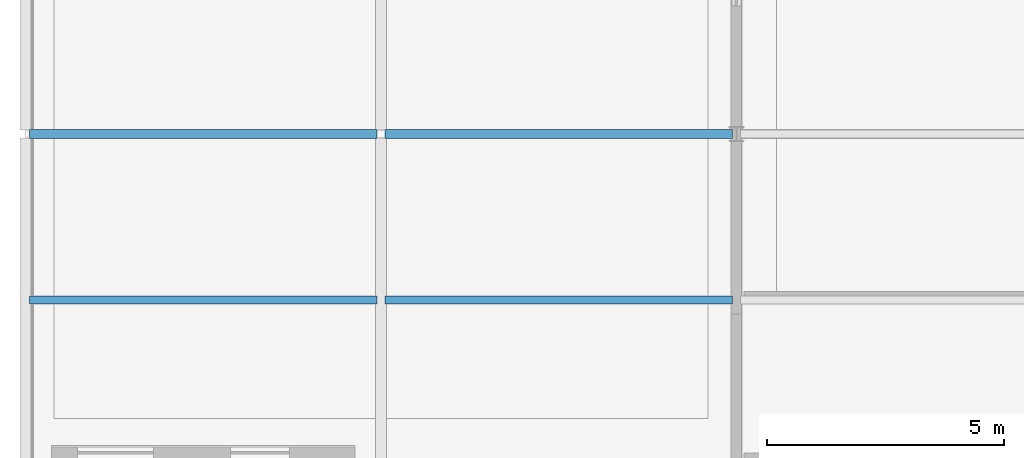
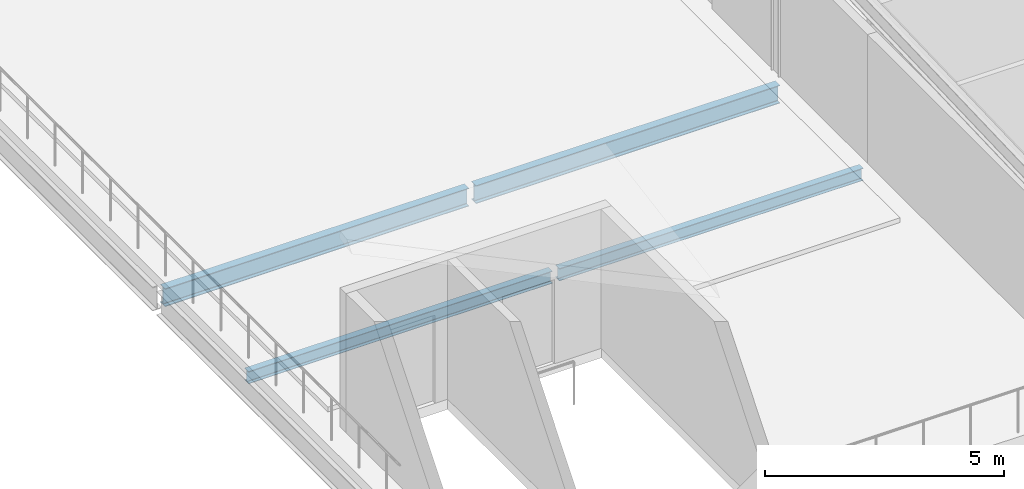
# One storey, part 5 of 27: 4 beams.
"""IFC4 building model written with IfcOpenShell, lengths in metres."""

from ifc_helpers import new_model, si_unit, direction, frame, origin, origin_2d, place, context, subcontext, project, spatial, i_section, extrude, material, material_profile, profile_set, type_object, element, save


model = new_model("IFC4")

# Units and contexts
model_context = context("Model", 3, precision=1e-05, world=origin(), true_north=direction((0.0, 1.0)))
body_context = subcontext(model_context, "Body", "Model", "MODEL_VIEW")
ifc_project = project(units=[si_unit("LENGTHUNIT", "METRE"), si_unit("AREAUNIT", "SQUARE_METRE"), si_unit("VOLUMEUNIT", "CUBIC_METRE"), si_unit("PLANEANGLEUNIT", "RADIAN"), si_unit("MASSUNIT", "GRAM", prefix="KILO")], contexts=[model_context])

# Site, building, storey
site_placement = place(None, origin())
site = spatial("IfcSite", under=ifc_project, at=site_placement, CompositionType="ELEMENT")
building_placement = place(site_placement, origin())
building = spatial("IfcBuilding", under=site, at=building_placement, Name="Solvenia Promenade Tram Depot", CompositionType="ELEMENT")
storey_placement = place(building_placement, frame((0.0, 0.0, 13.5)))
storey = spatial("IfcBuildingStorey", under=building, at=storey_placement, Name="L03", CompositionType="ELEMENT", Elevation=13.5)

# Beams
ifc_material = material(Name="Structural steel ASTM A992 Gr. 50", Category="steel")
ifc_material_profile_1 = material_profile(ifc_material, i_section(OverallWidth=0.19091796875, OverallDepth=0.4599609375, WebThickness=0.010009765625, FlangeThickness=0.01611328125, FilletRadius=0.012939453125, at=origin_2d()), Name="W460x82", Category="steel")
ifc_profile_set_1 = profile_set([ifc_material_profile_1], Name="Structural steel ASTM A992 Gr. 50")
beam_type_1 = type_object("IfcBeamType", Name="Beam-W460x82", PredefinedType="BEAM", material=ifc_profile_set_1)
for number, where, z_axis, x_axis, name in (
    (1, (105.0849609375, 52.0, -0.489990234375), (1.0, 0.0, 0.0), (0.0, 1.0, 0.0), "Primary Girder BM-L03-0825"),
    (2, (112.5849609375, 52.0, -0.489990234375), (1.0, 0.0, 0.0), (0.0, 1.0, 0.0), "Primary Girder BM-L03-0826"),
):
    element("IfcBeam", number, at=place(storey_placement, frame(where, z_axis=z_axis, x_axis=x_axis)), inside=storey, type_object=beam_type_1, Name=name, PredefinedType="BEAM", context=body_context, shape_type="SweptSolid", body=[
        extrude(i_section(OverallWidth=0.19091796875, OverallDepth=0.4599609375, WebThickness=0.010009765625, FlangeThickness=0.01611328125, FilletRadius=0.012939453125, at=origin_2d()), origin(), (0.0, 0.0, 1.0), 7.330078125),
    ])
ifc_material_profile_2 = material_profile(ifc_material, i_section(OverallWidth=0.166015625, OverallDepth=0.31298828125, WebThickness=0.006591796875, FlangeThickness=0.01123046875, FilletRadius=0.010009765625, at=origin_2d()), Name="W310x45", Category="steel")
ifc_profile_set_2 = profile_set([ifc_material_profile_2], Name="Structural steel ASTM A992 Gr. 50")
beam_type_2 = type_object("IfcBeamType", Name="Joist-W310x45", PredefinedType="JOIST", material=ifc_profile_set_2)
for number, where, z_axis, x_axis, name in (
    (3, (105.0849609375, 48.5, -0.41650390625), (1.0, 0.0, 0.0), (0.0, 1.0, 0.0), "Secondary Floor Joist BM-L03-0833"),
    (4, (112.5849609375, 48.5, -0.41650390625), (1.0, 0.0, 0.0), (0.0, 1.0, 0.0), "Secondary Floor Joist BM-L03-0839"),
):
    element("IfcBeam", number, at=place(storey_placement, frame(where, z_axis=z_axis, x_axis=x_axis)), inside=storey, type_object=beam_type_2, Name=name, PredefinedType="JOIST", context=body_context, shape_type="SweptSolid", body=[
        extrude(i_section(OverallWidth=0.166015625, OverallDepth=0.31298828125, WebThickness=0.006591796875, FlangeThickness=0.01123046875, FilletRadius=0.010009765625, at=origin_2d()), origin(), (0.0, 0.0, 1.0), 7.330078125),
    ])

save(model, "model.ifc")
